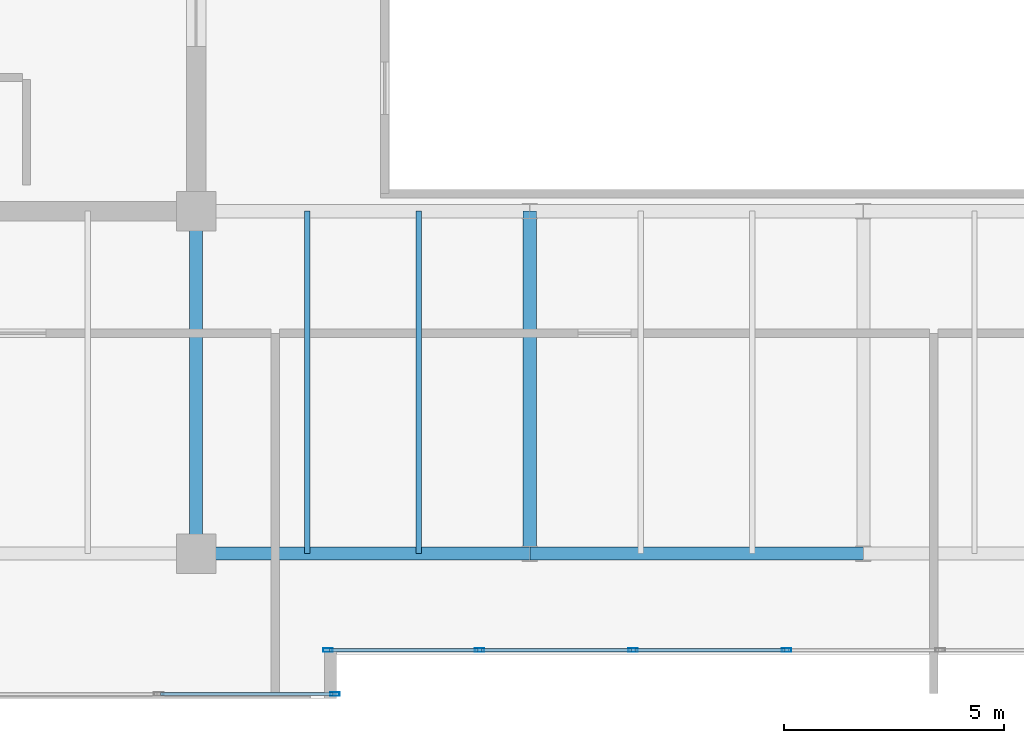
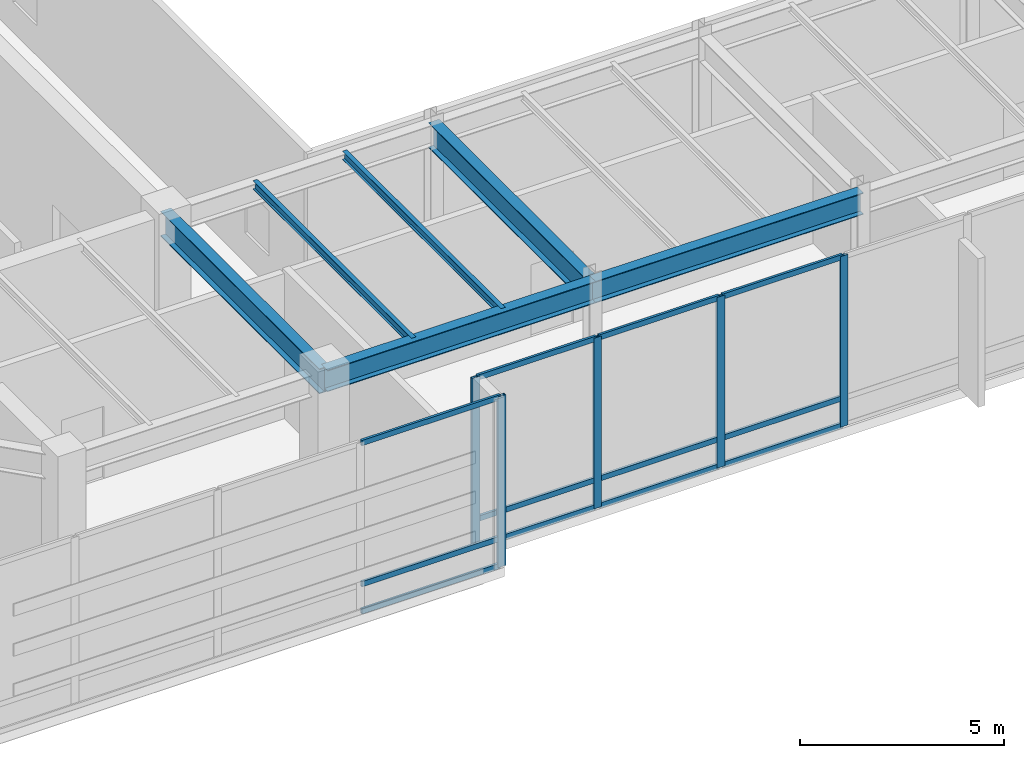
# One storey, part 7 of 30: 17 members, 6 beams, 2 elements without a shape of their own.
"""IFC4 building model written with IfcOpenShell, lengths in metres."""

import ifcopenshell
import ifcopenshell.guid

model = None  # the IFC model being written
_history = None  # IfcOwnerHistory: only IFC2X3 demands one
_inside = {}  # id of a spatial element -> (the spatial element, [elements in it])
_under = {}  # id of a project, library or spatial element -> (it, [spatial elements below it])
_declared = {}  # id of a project -> (the project, [libraries it declares])
_typed = {}  # id of a type object -> (the type object, [elements of that type])
_made_of = {}  # id of a material, layer set ... -> (it, [elements and type objects made of it])


def new_model(schema):
    """Start an empty IFC model of exactly this schema.

    Asked for "IFC4X3", IfcOpenShell would pick the latest addendum, in which some entities
    have other attributes; the version numbers below select the first issue.
    IFC2X3 requires an IfcOwnerHistory on every rooted entity: one is made here for all.
    """
    global model, _history
    if schema == "IFC4X3":
        model = ifcopenshell.file(schema_version=(4, 3, 0, 0))
    else:
        model = ifcopenshell.file(schema=schema)
    _inside.clear()
    _under.clear()
    _declared.clear()
    _typed.clear()
    _made_of.clear()
    _history = None
    if model.schema == "IFC2X3":
        org = make("IfcOrganization", Name="unknown")
        user = make(
            "IfcPersonAndOrganization",
            ThePerson=make("IfcPerson", FamilyName="unknown"),
            TheOrganization=org,
        )
        app = make(
            "IfcApplication",
            ApplicationDeveloper=org,
            Version="unknown",
            ApplicationFullName="unknown",
            ApplicationIdentifier="unknown",
        )
        _history = make(
            "IfcOwnerHistory",
            OwningUser=user,
            OwningApplication=app,
            ChangeAction="ADDED",
            CreationDate=0,
        )
    return model


def make(cls, **values):
    """One entity of the class cls with the attributes given. An attribute that is None is left unset."""
    return model.create_entity(
        cls, **{name: value for name, value in values.items() if value is not None}
    )


def rooted(cls, **values):
    """An entity with a GlobalId (a new one), such as an element, a storey or a relation."""
    return make(cls, GlobalId=ifcopenshell.guid.new(), OwnerHistory=_history, **values)


def si_unit(unit_type, name, prefix=None):
    """IfcSIUnit, for example si_unit("LENGTHUNIT", "METRE", prefix="MILLI")."""
    return make("IfcSIUnit", UnitType=unit_type, Prefix=prefix, Name=name)


def assignment(units):
    """IfcUnitAssignment: the units of a project."""
    return None if units is None else make("IfcUnitAssignment", Units=units)


def point(xyz):
    """IfcCartesianPoint."""
    return None if xyz is None else make("IfcCartesianPoint", Coordinates=xyz)


def direction(xyz):
    """IfcDirection."""
    return None if xyz is None else make("IfcDirection", DirectionRatios=xyz)


def frame(location, z_axis=None, x_axis=None):
    """IfcAxis2Placement3D, a coordinate frame: its origin and axes. An axis left out is left unset."""
    return make(
        "IfcAxis2Placement3D",
        Location=point(location),
        Axis=direction(z_axis),
        RefDirection=direction(x_axis),
    )


def frame_2d(location, x_axis=None):
    """IfcAxis2Placement2D, a coordinate frame in the plane: its origin and x axis."""
    return make(
        "IfcAxis2Placement2D", Location=point(location), RefDirection=direction(x_axis)
    )


def origin():
    """The frame at (0, 0, 0) with its axes left unset."""
    return frame((0.0, 0.0, 0.0))


def origin_2d():
    """The frame at (0, 0) in the plane with its x axis left unset."""
    return frame_2d((0.0, 0.0))


def place(relative_to, where):
    """IfcLocalPlacement: puts the frame where relative to a parent placement (None: the world)."""
    return make(
        "IfcLocalPlacement", PlacementRelTo=relative_to, RelativePlacement=where
    )


def context(
    kind, dimensions, precision=None, world=None, true_north=None, identifier=None
):
    """IfcGeometricRepresentationContext, for example the 3D "Model" context."""
    return make(
        "IfcGeometricRepresentationContext",
        ContextIdentifier=identifier,
        ContextType=kind,
        CoordinateSpaceDimension=dimensions,
        Precision=precision,
        WorldCoordinateSystem=world,
        TrueNorth=true_north,
    )


def subcontext(parent, identifier, kind, view, scale=None):
    """IfcGeometricRepresentationSubContext, for example "Body" below "Model"."""
    return make(
        "IfcGeometricRepresentationSubContext",
        ContextIdentifier=identifier,
        ContextType=kind,
        ParentContext=parent,
        TargetScale=scale,
        TargetView=view,
    )


def project(units=None, contexts=None):
    """IfcProject with its units and contexts."""
    return rooted(
        "IfcProject",
        Name="project",
        RepresentationContexts=contexts,
        UnitsInContext=assignment(units),
    )


def spatial(cls, under=None, at=None, **own):
    """A site, building, storey or space (cls), placed at a placement, below another one or the project."""
    s = rooted(cls, ObjectPlacement=at, **own)
    if under is not None:
        _under.setdefault(under.id(), (under, []))[1].append(s)
    return s


def profile(cls, at=None, kind="AREA", **sizes):
    """A parametric profile (cls). Its sizes go by their IFC names, for example OverallWidth=200.0."""
    return make(cls, ProfileType=kind, Position=at, **sizes)


def hollow_rectangle(**sizes):
    """IfcRectangleHollowProfileDef."""
    return profile("IfcRectangleHollowProfileDef", **sizes)


def i_section(**sizes):
    """IfcIShapeProfileDef."""
    return profile("IfcIShapeProfileDef", **sizes)


def extrude(swept, where, along, depth):
    """IfcExtrudedAreaSolid: the profile swept, set in the frame where, extruded along a direction by depth."""
    return make(
        "IfcExtrudedAreaSolid",
        SweptArea=swept,
        Position=where,
        ExtrudedDirection=direction(along),
        Depth=depth,
    )


def shape(context_of_items, identifier, shape_type, items):
    """IfcShapeRepresentation: the items that make up one representation, for example the "Body"."""
    return make(
        "IfcShapeRepresentation",
        ContextOfItems=context_of_items,
        RepresentationIdentifier=identifier,
        RepresentationType=shape_type,
        Items=items,
    )


def source(mapping_origin, context_of_items, identifier, shape_type, items):
    """IfcRepresentationMap: a shape defined once, which mapped items show again and again."""
    return make(
        "IfcRepresentationMap",
        MappingOrigin=mapping_origin,
        MappedRepresentation=shape(context_of_items, identifier, shape_type, items),
    )


def transform(
    local_origin,
    x_axis=None,
    y_axis=None,
    z_axis=None,
    scale=None,
    scale2=None,
    scale3=None,
    uniform=True,
):
    """IfcCartesianTransformationOperator3D, or its non-uniform kind. x_axis, y_axis, z_axis: its Axis1, 2, 3."""
    if uniform:
        return make(
            "IfcCartesianTransformationOperator3D",
            Axis1=direction(x_axis),
            Axis2=direction(y_axis),
            LocalOrigin=point(local_origin),
            Scale=scale,
            Axis3=direction(z_axis),
        )
    return make(
        "IfcCartesianTransformationOperator3DnonUniform",
        Axis1=direction(x_axis),
        Axis2=direction(y_axis),
        LocalOrigin=point(local_origin),
        Scale=scale,
        Axis3=direction(z_axis),
        Scale2=scale2,
        Scale3=scale3,
    )


def mapped(mapping_source, mapping_target):
    """IfcMappedItem: shows the shape of a source again, moved by a transform."""
    return make(
        "IfcMappedItem", MappingSource=mapping_source, MappingTarget=mapping_target
    )


def material(Name=None, Category=None):
    """IfcMaterial."""
    return make("IfcMaterial", Name=Name, Category=Category)


def layer(
    of_material, thickness, ventilated=None, Name=None, Category=None, Priority=None
):
    """IfcMaterialLayer: one layer of a wall or slab, of a material (None: an air gap)."""
    return make(
        "IfcMaterialLayer",
        Material=of_material,
        LayerThickness=thickness,
        IsVentilated=ventilated,
        Name=Name,
        Category=Category,
        Priority=Priority,
    )


def layer_set(layers, Name=None):
    """IfcMaterialLayerSet."""
    return make("IfcMaterialLayerSet", MaterialLayers=layers, LayerSetName=Name)


def material_profile(
    of_material, cross_section, Name=None, Category=None, Priority=None
):
    """IfcMaterialProfile: a cross section and its material."""
    return make(
        "IfcMaterialProfile",
        Name=Name,
        Material=of_material,
        Profile=cross_section,
        Priority=Priority,
        Category=Category,
    )


def profile_set(profiles, Name=None, composite=None):
    """IfcMaterialProfileSet."""
    return make(
        "IfcMaterialProfileSet",
        Name=Name,
        MaterialProfiles=profiles,
        CompositeProfile=composite,
    )


def made_of(thing, what):
    """Note that an element or type object is made of a material, layer set ...; save() writes the relation."""
    if what is not None:
        _made_of.setdefault(what.id(), (what, []))[1].append(thing)
    return thing


def type_object(cls, material=None, **own):
    """A type object (cls), such as IfcWallType, which elements share."""
    return made_of(rooted(cls, **own), material)


def type_shapes(of_type, sources):
    """Give a type object the sources (RepresentationMaps) that its elements show as mapped items."""
    of_type.RepresentationMaps = sources


def element(
    cls,
    number,
    at=None,
    inside=None,
    cuts=None,
    type_object=None,
    material=None,
    context=None,
    identifier="Body",
    shape_type=None,
    held_by="IfcProductDefinitionShape",
    body=None,
    shapes=None,
    **own,
):
    """One element of the class cls, such as IfcWall. Its Tag is "e" and its number.

    at: its placement. inside: the storey or other place that contains it. cuts: it is an
    opening in that element (IfcRelVoidsElement). A single representation is given by context,
    identifier, shape_type and body (its items); several are given by shapes. held_by: the class
    of the entity that holds the representations. save() writes the other relations.
    """
    e = rooted(cls, Tag="e%d" % number, ObjectPlacement=at, **own)
    if body is not None:
        shapes = [shape(context, identifier, shape_type, body)]
    if shapes is not None:
        e.Representation = make(held_by, Representations=shapes)
    if inside is not None:
        _inside.setdefault(inside.id(), (inside, []))[1].append(e)
    if cuts is not None:
        rooted(
            "IfcRelVoidsElement", RelatingBuildingElement=cuts, RelatedOpeningElement=e
        )
    if type_object is not None:
        _typed.setdefault(type_object.id(), (type_object, []))[1].append(e)
    return made_of(e, material)


def aggregate(whole, parts):
    """IfcRelAggregates: a whole, such as a stair, and the parts it consists of."""
    return rooted("IfcRelAggregates", RelatingObject=whole, RelatedObjects=parts)


def save(model, path):
    """Write the relations noted so far, then the file.

    IfcRelAggregates (storeys below a building ...), IfcRelContainedInSpatialStructure (elements
    in a storey), IfcRelDefinesByType, IfcRelAssociatesMaterial and IfcRelDeclares: one each for
    every whole, place, type object, material and project.
    """
    for whole, parts in _under.values():
        aggregate(whole, parts)
    for where, things in _inside.values():
        rooted(
            "IfcRelContainedInSpatialStructure",
            RelatedElements=things,
            RelatingStructure=where,
        )
    for kind, things in _typed.values():
        rooted("IfcRelDefinesByType", RelatedObjects=things, RelatingType=kind)
    for what, things in _made_of.values():
        rooted("IfcRelAssociatesMaterial", RelatedObjects=things, RelatingMaterial=what)
    for by, libraries in _declared.values():
        rooted("IfcRelDeclares", RelatingContext=by, RelatedDefinitions=libraries)
    model.write(path)


model = new_model("IFC4")

# Units and contexts
model_context = context("Model", 3, precision=1e-05, world=origin(), true_north=direction((0.0, 1.0)))
body_context = subcontext(model_context, "Body", "Model", "MODEL_VIEW")
ifc_project = project(units=[si_unit("LENGTHUNIT", "METRE"), si_unit("AREAUNIT", "SQUARE_METRE"), si_unit("VOLUMEUNIT", "CUBIC_METRE"), si_unit("PLANEANGLEUNIT", "RADIAN"), si_unit("MASSUNIT", "GRAM", prefix="KILO")], contexts=[model_context])

# Site, building, storey
site_placement = place(None, origin())
site = spatial("IfcSite", under=ifc_project, at=site_placement, CompositionType="ELEMENT")
building_placement = place(site_placement, origin())
building = spatial("IfcBuilding", under=site, at=building_placement, Name="Haelvirn Gate Laboratories", CompositionType="ELEMENT")
storey_placement = place(building_placement, frame((0.0, 0.0, 332.39990234375)))
storey = spatial("IfcBuildingStorey", under=building, at=storey_placement, Name="L79", CompositionType="ELEMENT", Elevation=332.39990234375)

# Beams
ifc_material_1 = material(Name="Steel SM355", Category="steel")
ifc_material_profile_1 = material_profile(ifc_material_1, i_section(OverallWidth=0.300048828125, OverallDepth=0.75, WebThickness=0.013916015625, FlangeThickness=0.02392578125, at=origin_2d()), Name="H-750x300x14x24")
ifc_profile_set_1 = profile_set([ifc_material_profile_1], Name="Steel SM355")
beam_type_1 = type_object("IfcBeamType", Name="BM-G-750", PredefinedType="BEAM", material=ifc_profile_set_1)
shared_shape_1 = source(origin(), body_context, "Body", "SweptSolid", [
    extrude(i_section(OverallWidth=0.300048828125, OverallDepth=0.75, WebThickness=0.013916015625, FlangeThickness=0.02392578125, at=origin_2d()), origin(), (0.0, 0.0, 1.0), 7.800048828125),
])
type_shapes(beam_type_1, [shared_shape_1])
for number, where, z_axis, x_axis, name in (
    (1, (22.199951171875, 7.0, 4.7451171875), (0.0, 1.0, 0.0), (-1.0, 0.0, 0.0), "L79 Frame Girder X22.2 (7.0-14.8)"),
    (2, (29.800048828125, 7.0, 4.7451171875), (0.0, 1.0, 0.0), (-1.0, 0.0, 0.0), "L79 Frame Girder X29.8 (7.0-14.8)"),
):
    element("IfcBeam", number, at=place(storey_placement, frame(where, z_axis=z_axis, x_axis=x_axis)), inside=storey, type_object=beam_type_1, Name=name, PredefinedType="BEAM", context=body_context, shape_type="MappedRepresentation", body=[
        mapped(shared_shape_1, transform((0.0, 0.0, 0.0), scale=1.0)),
    ])
ifc_material_profile_2 = material_profile(ifc_material_1, i_section(OverallWidth=0.300048828125, OverallDepth=0.64990234375, WebThickness=0.012939453125, FlangeThickness=0.02197265625, at=origin_2d()), Name="H-650x300x13x22")
ifc_profile_set_2 = profile_set([ifc_material_profile_2], Name="Steel SM355")
beam_type_2 = type_object("IfcBeamType", Name="BM-G-650", PredefinedType="BEAM", material=ifc_profile_set_2)
shared_shape_2 = source(origin(), body_context, "Body", "SweptSolid", [
    extrude(i_section(OverallWidth=0.300048828125, OverallDepth=0.64990234375, WebThickness=0.012939453125, FlangeThickness=0.02197265625, at=origin_2d()), origin(), (0.0, 0.0, 1.0), 7.60009765625),
])
beam_1_placement = place(storey_placement, frame((22.199951171875, 7.0, 4.795166015625), z_axis=(1.0, 0.0, 0.0), x_axis=(0.0, 1.0, 0.0)))
element("IfcBeam", 3, at=beam_1_placement, inside=storey, type_object=beam_type_2, Name="L79 Primary Girder Y7.0 (22.2-29.8)", PredefinedType="BEAM", context=body_context, shape_type="MappedRepresentation", body=[
    mapped(shared_shape_2, transform((0.0, 0.0, 0.0), scale=1.0)),
])
shared_shape_3 = source(origin(), body_context, "Body", "SweptSolid", [
    extrude(i_section(OverallWidth=0.300048828125, OverallDepth=0.64990234375, WebThickness=0.012939453125, FlangeThickness=0.02197265625, at=origin_2d()), origin(), (0.0, 0.0, 1.0), 7.599853515625),
])
type_shapes(beam_type_2, [shared_shape_2, shared_shape_3])
beam_2_placement = place(storey_placement, frame((29.800048828125, 7.0, 4.795166015625), z_axis=(1.0, 0.0, 0.0), x_axis=(0.0, 1.0, 0.0)))
element("IfcBeam", 4, at=beam_2_placement, inside=storey, type_object=beam_type_2, Name="L79 Primary Girder Y7.0 (29.8-37.4)", PredefinedType="BEAM", context=body_context, shape_type="MappedRepresentation", body=[
    mapped(shared_shape_3, transform((0.0, 0.0, 0.0), scale=1.0)),
])
ifc_material_profile_3 = material_profile(ifc_material_1, i_section(OverallWidth=0.125, OverallDepth=0.25, WebThickness=0.006103515625, FlangeThickness=0.009033203125, at=origin_2d()), Name="H-250x125x6x9")
ifc_profile_set_3 = profile_set([ifc_material_profile_3], Name="Steel SM355")
beam_type_3 = type_object("IfcBeamType", Name="BM-J-250", PredefinedType="JOIST", material=ifc_profile_set_3)
shared_shape_4 = source(origin(), body_context, "Body", "SweptSolid", [
    extrude(i_section(OverallWidth=0.125, OverallDepth=0.25, WebThickness=0.006103515625, FlangeThickness=0.009033203125, at=origin_2d()), origin(), (0.0, 0.0, 1.0), 7.800048828125),
])
type_shapes(beam_type_3, [shared_shape_4])
for number, where, z_axis, x_axis, name in (
    (5, (24.72998046875, 7.0, 4.9951171875), (0.0, 1.0, 0.0), (-1.0, 0.0, 0.0), "L79 Composite Lab Joist South X24.73"),
    (6, (27.27001953125, 7.0, 4.9951171875), (0.0, 1.0, 0.0), (-1.0, 0.0, 0.0), "L79 Composite Lab Joist South X27.27"),
):
    element("IfcBeam", number, at=place(storey_placement, frame(where, z_axis=z_axis, x_axis=x_axis)), inside=storey, type_object=beam_type_3, Name=name, PredefinedType="JOIST", context=body_context, shape_type="MappedRepresentation", body=[
        mapped(shared_shape_4, transform((0.0, 0.0, 0.0), scale=1.0)),
    ])

# Curtain wall, member
ifc_material_2 = material(Name="Anodised bronze unitised aluminium & triple low-E glass", Category="aluminium")
ifc_layer = layer(ifc_material_2, 0.19189453125, Name="CW-SYS-6")
ifc_layer_set = layer_set([ifc_layer], Name="Anodised bronze unitised aluminium & triple low-E glass")
curtain_wall_type = type_object("IfcCurtainWallType", Name="CW-SYS-6", PredefinedType="NOTDEFINED", material=ifc_layer_set)
curtain_wall_1_placement = place(storey_placement, origin())
curtain_wall_1 = element("IfcCurtainWall", 7, at=curtain_wall_1_placement, inside=storey, type_object=curtain_wall_type, Name="L79 Unitised Curtain Wall CW-L79-P0-E00-1", PredefinedType="NOTDEFINED")
ifc_material_3 = material(Name="Extruded aluminium 6063-T6 (anodised bronze)", Category="aluminium")
ifc_material_profile_4 = material_profile(ifc_material_3, hollow_rectangle(XDim=0.080078125, YDim=0.219970703125, WallThickness=0.006103515625, at=origin_2d()), Name="CWM-220x80x6")
ifc_profile_set_4 = profile_set([ifc_material_profile_4], Name="Extruded aluminium 6063-T6 (anodised bronze)")
member_type_1 = type_object("IfcMemberType", Name="CWM-T220", PredefinedType="MULLION", material=ifc_profile_set_4)
shared_shape_5 = source(origin(), body_context, "Body", "SweptSolid", [
    extrude(hollow_rectangle(XDim=0.080078125, YDim=0.219970703125, WallThickness=0.006103515625, at=origin_2d()), origin(), (0.0, 0.0, 1.0), 5.1201171875),
])
type_shapes(member_type_1, [shared_shape_5])
member_1_placement = place(storey_placement, frame((25.360107421875, 3.800048828125, 0.0), z_axis=(0.0, 0.0, 1.0), x_axis=(0.0, 1.0, 0.0)))
member_1 = element("IfcMember", 8, at=member_1_placement, type_object=member_type_1, Name="CW6 mullion 5", PredefinedType="MULLION", context=body_context, shape_type="MappedRepresentation", body=[
    mapped(shared_shape_5, transform((0.0, 0.0, 0.0), scale=1.0)),
])

# Curtain wall, members
curtain_wall_2_placement = place(storey_placement, origin())
curtain_wall_2 = element("IfcCurtainWall", 9, at=curtain_wall_2_placement, inside=storey, type_object=curtain_wall_type, Name="L79 Unitised Curtain Wall CW-L79-P0-E02-1", PredefinedType="NOTDEFINED")
member_2_placement = place(storey_placement, frame((25.199951171875, 4.800048828125, 0.0), z_axis=(0.0, 0.0, 1.0), x_axis=(0.0, 1.0, 0.0)))
member_2 = element("IfcMember", 10, at=member_2_placement, type_object=member_type_1, Name="CW6 mullion 1", PredefinedType="MULLION", context=body_context, shape_type="MappedRepresentation", body=[
    mapped(shared_shape_5, transform((0.0, 0.0, 0.0), scale=1.0)),
])
member_3_placement = place(storey_placement, frame((28.6572265625, 4.800048828125, 0.0), z_axis=(0.0, 0.0, 1.0), x_axis=(0.0, 1.0, 0.0)))
member_3 = element("IfcMember", 11, at=member_3_placement, type_object=member_type_1, Name="CW6 mullion 2", PredefinedType="MULLION", context=body_context, shape_type="MappedRepresentation", body=[
    mapped(shared_shape_5, transform((0.0, 0.0, 0.0), scale=1.0)),
])
member_4_placement = place(storey_placement, frame((32.154296875, 4.800048828125, 0.0), z_axis=(0.0, 0.0, 1.0), x_axis=(0.0, 1.0, 0.0)))
member_4 = element("IfcMember", 12, at=member_4_placement, type_object=member_type_1, Name="CW6 mullion 3", PredefinedType="MULLION", context=body_context, shape_type="MappedRepresentation", body=[
    mapped(shared_shape_5, transform((0.0, 0.0, 0.0), scale=1.0)),
])
member_5_placement = place(storey_placement, frame((35.6513671875, 4.800048828125, 0.0), z_axis=(0.0, 0.0, 1.0), x_axis=(0.0, 1.0, 0.0)))
member_5 = element("IfcMember", 13, at=member_5_placement, type_object=member_type_1, Name="CW6 mullion 4", PredefinedType="MULLION", context=body_context, shape_type="MappedRepresentation", body=[
    mapped(shared_shape_5, transform((0.0, 0.0, 0.0), scale=1.0)),
])

# Member
ifc_material_profile_5 = material_profile(ifc_material_3, hollow_rectangle(XDim=0.070068359375, YDim=0.159912109375, WallThickness=0.0048828125, at=origin_2d()), Name="CWT-160x70x5")
ifc_profile_set_5 = profile_set([ifc_material_profile_5], Name="Extruded aluminium 6063-T6 (anodised bronze)")
member_type_2 = type_object("IfcMemberType", Name="CWT-T160", PredefinedType="USERDEFINED", material=ifc_profile_set_5)
shared_shape_6 = source(origin(), body_context, "Body", "SweptSolid", [
    extrude(hollow_rectangle(XDim=0.070068359375, YDim=0.159912109375, WallThickness=0.0048828125, at=origin_2d()), origin(), (0.0, 0.0, 1.0), 3.93017578125),
])
member_6_placement = place(storey_placement, frame((21.389892578125, 3.800048828125, 0.03515625), z_axis=(1.0, 0.0, 0.0), x_axis=(0.0, 1.0, 0.0)))
member_6 = element("IfcMember", 14, at=member_6_placement, type_object=member_type_2, Name="CW6 transom 4.1", ObjectType="TRANSOM", PredefinedType="USERDEFINED", context=body_context, shape_type="MappedRepresentation", body=[
    mapped(shared_shape_6, transform((0.0, 0.0, 0.0), scale=1.0)),
])

member_7_placement = place(storey_placement, frame((21.389892578125, 3.800048828125, 0.85009765625), z_axis=(1.0, 0.0, 0.0), x_axis=(0.0, 1.0, 0.0)))
member_7 = element("IfcMember", 15, at=member_7_placement, type_object=member_type_2, Name="CW6 transom 4.2", ObjectType="TRANSOM", PredefinedType="USERDEFINED", context=body_context, shape_type="MappedRepresentation", body=[
    mapped(shared_shape_6, transform((0.0, 0.0, 0.0), scale=1.0)),
])

member_8_placement = place(storey_placement, frame((21.389892578125, 3.800048828125, 5.085205078125), z_axis=(1.0, 0.0, 0.0), x_axis=(0.0, 1.0, 0.0)))
member_8 = element("IfcMember", 16, at=member_8_placement, type_object=member_type_2, Name="CW6 transom 4.3", ObjectType="TRANSOM", PredefinedType="USERDEFINED", context=body_context, shape_type="MappedRepresentation", body=[
    mapped(shared_shape_6, transform((0.0, 0.0, 0.0), scale=1.0)),
])

aggregate(curtain_wall_1, [member_1, member_6, member_7, member_8])

shared_shape_7 = source(origin(), body_context, "Body", "SweptSolid", [
    extrude(hollow_rectangle(XDim=0.070068359375, YDim=0.159912109375, WallThickness=0.0048828125, at=origin_2d()), origin(), (0.0, 0.0, 1.0), 3.377197265625),
])
member_9_placement = place(storey_placement, frame((25.239990234375, 4.800048828125, 0.03515625), z_axis=(1.0, 0.0, 0.0), x_axis=(0.0, 1.0, 0.0)))
member_9 = element("IfcMember", 17, at=member_9_placement, type_object=member_type_2, Name="CW6 transom 1.1", ObjectType="TRANSOM", PredefinedType="USERDEFINED", context=body_context, shape_type="MappedRepresentation", body=[
    mapped(shared_shape_7, transform((0.0, 0.0, 0.0), scale=1.0)),
])

member_10_placement = place(storey_placement, frame((25.239990234375, 4.800048828125, 0.85009765625), z_axis=(1.0, 0.0, 0.0), x_axis=(0.0, 1.0, 0.0)))
member_10 = element("IfcMember", 18, at=member_10_placement, type_object=member_type_2, Name="CW6 transom 1.2", ObjectType="TRANSOM", PredefinedType="USERDEFINED", context=body_context, shape_type="MappedRepresentation", body=[
    mapped(shared_shape_7, transform((0.0, 0.0, 0.0), scale=1.0)),
])

member_11_placement = place(storey_placement, frame((25.239990234375, 4.800048828125, 5.085205078125), z_axis=(1.0, 0.0, 0.0), x_axis=(0.0, 1.0, 0.0)))
member_11 = element("IfcMember", 19, at=member_11_placement, type_object=member_type_2, Name="CW6 transom 1.3", ObjectType="TRANSOM", PredefinedType="USERDEFINED", context=body_context, shape_type="MappedRepresentation", body=[
    mapped(shared_shape_7, transform((0.0, 0.0, 0.0), scale=1.0)),
])

shared_shape_8 = source(origin(), body_context, "Body", "SweptSolid", [
    extrude(hollow_rectangle(XDim=0.070068359375, YDim=0.159912109375, WallThickness=0.0048828125, at=origin_2d()), origin(), (0.0, 0.0, 1.0), 3.417236328125),
])
member_12_placement = place(storey_placement, frame((28.697021484375, 4.800048828125, 0.03515625), z_axis=(1.0, 0.0, 0.0), x_axis=(0.0, 1.0, 0.0)))
member_12 = element("IfcMember", 20, at=member_12_placement, type_object=member_type_2, Name="CW6 transom 2.1", ObjectType="TRANSOM", PredefinedType="USERDEFINED", context=body_context, shape_type="MappedRepresentation", body=[
    mapped(shared_shape_8, transform((0.0, 0.0, 0.0), scale=1.0)),
])

member_13_placement = place(storey_placement, frame((28.697021484375, 4.800048828125, 0.85009765625), z_axis=(1.0, 0.0, 0.0), x_axis=(0.0, 1.0, 0.0)))
member_13 = element("IfcMember", 21, at=member_13_placement, type_object=member_type_2, Name="CW6 transom 2.2", ObjectType="TRANSOM", PredefinedType="USERDEFINED", context=body_context, shape_type="MappedRepresentation", body=[
    mapped(shared_shape_8, transform((0.0, 0.0, 0.0), scale=1.0)),
])

member_14_placement = place(storey_placement, frame((28.697021484375, 4.800048828125, 5.085205078125), z_axis=(1.0, 0.0, 0.0), x_axis=(0.0, 1.0, 0.0)))
member_14 = element("IfcMember", 22, at=member_14_placement, type_object=member_type_2, Name="CW6 transom 2.3", ObjectType="TRANSOM", PredefinedType="USERDEFINED", context=body_context, shape_type="MappedRepresentation", body=[
    mapped(shared_shape_8, transform((0.0, 0.0, 0.0), scale=1.0)),
])

shared_shape_9 = source(origin(), body_context, "Body", "SweptSolid", [
    extrude(hollow_rectangle(XDim=0.070068359375, YDim=0.159912109375, WallThickness=0.0048828125, at=origin_2d()), origin(), (0.0, 0.0, 1.0), 3.4169921875),
])
type_shapes(member_type_2, [shared_shape_6, shared_shape_7, shared_shape_8, shared_shape_9])
member_15_placement = place(storey_placement, frame((32.1943359375, 4.800048828125, 0.03515625), z_axis=(1.0, 0.0, 0.0), x_axis=(0.0, 1.0, 0.0)))
member_15 = element("IfcMember", 23, at=member_15_placement, type_object=member_type_2, Name="CW6 transom 3.1", ObjectType="TRANSOM", PredefinedType="USERDEFINED", context=body_context, shape_type="MappedRepresentation", body=[
    mapped(shared_shape_9, transform((0.0, 0.0, 0.0), scale=1.0)),
])

member_16_placement = place(storey_placement, frame((32.1943359375, 4.800048828125, 0.85009765625), z_axis=(1.0, 0.0, 0.0), x_axis=(0.0, 1.0, 0.0)))
member_16 = element("IfcMember", 24, at=member_16_placement, type_object=member_type_2, Name="CW6 transom 3.2", ObjectType="TRANSOM", PredefinedType="USERDEFINED", context=body_context, shape_type="MappedRepresentation", body=[
    mapped(shared_shape_9, transform((0.0, 0.0, 0.0), scale=1.0)),
])

member_17_placement = place(storey_placement, frame((32.1943359375, 4.800048828125, 5.085205078125), z_axis=(1.0, 0.0, 0.0), x_axis=(0.0, 1.0, 0.0)))
member_17 = element("IfcMember", 25, at=member_17_placement, type_object=member_type_2, Name="CW6 transom 3.3", ObjectType="TRANSOM", PredefinedType="USERDEFINED", context=body_context, shape_type="MappedRepresentation", body=[
    mapped(shared_shape_9, transform((0.0, 0.0, 0.0), scale=1.0)),
])

aggregate(curtain_wall_2, [member_2, member_3, member_4, member_5, member_9, member_10, member_11, member_12, member_13, member_14, member_15, member_16, member_17])

save(model, "model.ifc")
